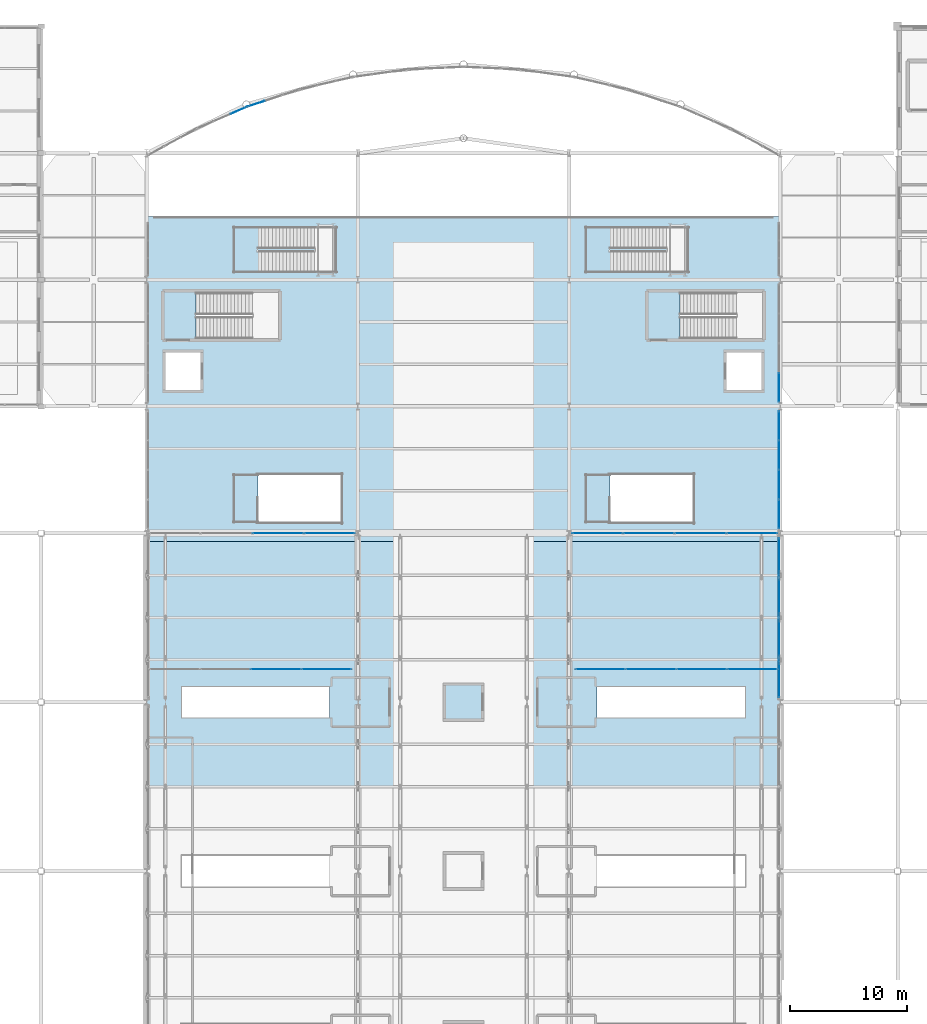
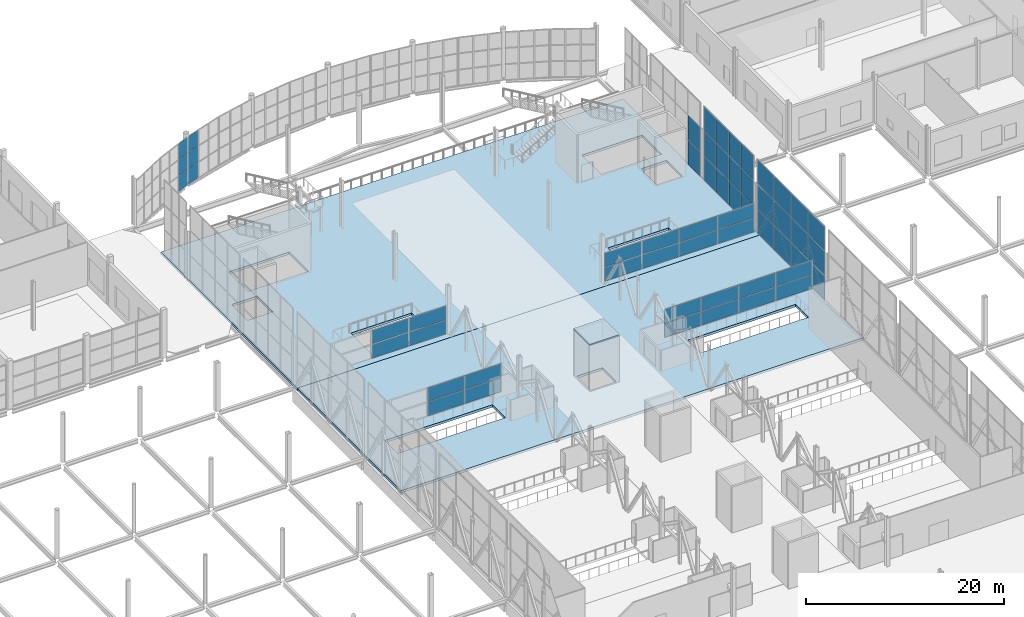
# One storey, part 154 of 191: 56 plates, 3 slabs, 9 elements without a shape of their own.
"""IFC4 building model written with IfcOpenShell, lengths in metres."""

from ifc_helpers import new_model, si_unit, direction, frame, origin, origin_2d, place, context, subcontext, project, spatial, polyline, rectangle, outline, extrude, material, layer, layer_set, type_object, element, aggregate, save


model = new_model("IFC4")

# Units and contexts
model_context = context("Model", 3, precision=1e-05, world=origin(), true_north=direction((0.0, 1.0)))
body_context = subcontext(model_context, "Body", "Model", "MODEL_VIEW")
ifc_project = project(units=[si_unit("LENGTHUNIT", "METRE"), si_unit("AREAUNIT", "SQUARE_METRE"), si_unit("VOLUMEUNIT", "CUBIC_METRE"), si_unit("PLANEANGLEUNIT", "RADIAN"), si_unit("MASSUNIT", "GRAM", prefix="KILO")], contexts=[model_context])

# Site, building, storey
site_placement = place(None, origin())
site = spatial("IfcSite", under=ifc_project, at=site_placement, CompositionType="ELEMENT")
building_placement = place(site_placement, origin())
building = spatial("IfcBuilding", under=site, at=building_placement, Name="Tamarisk Ironworks Central Station", CompositionType="ELEMENT")
storey_placement = place(building_placement, frame((0.0, 0.0, 6.60009765625)))
storey = spatial("IfcBuildingStorey", under=building, at=storey_placement, Name="L01", CompositionType="ELEMENT", Elevation=6.60009765625)

# Curtain wall, plates
ifc_material_1 = material(Name="Anodized aluminium alloy 6063-T6", Category="aluminium")
ifc_layer_1 = layer(ifc_material_1, 0.179931640625)
ifc_layer_set_1 = layer_set([ifc_layer_1], Name="Anodized aluminium alloy 6063-T6")
curtain_wall_type_1 = type_object("IfcCurtainWallType", Name="CW-24", PredefinedType="USERDEFINED", material=ifc_layer_set_1)
curtain_wall_1_placement = place(storey_placement, origin())
curtain_wall_1 = element("IfcCurtainWall", 1, at=curtain_wall_1_placement, inside=storey, type_object=curtain_wall_type_1, Name="North bridge west glazed acoustic screen", ObjectType="GLAZED CURTAIN WALL", PredefinedType="USERDEFINED")
ifc_material_2 = material(Name="Laminated solar-control low-E glass", Category="glass")
ifc_layer_2 = layer(ifc_material_2, 0.02001953125)
ifc_layer_set_2 = layer_set([ifc_layer_2], Name="Laminated solar-control low-E glass")
plate_type_1 = type_object("IfcPlateType", Name="PL-CWP20", PredefinedType="CURTAIN_PANEL", material=ifc_layer_set_2)
plate_1_placement = place(storey_placement, frame((65.19970703125, 79.199951171875, 0.06884765625), z_axis=(0.0, 0.0, 1.0), x_axis=(1.0, 0.0, 0.0)))
plate_1 = element("IfcPlate", 2, at=plate_1_placement, type_object=plate_type_1, Name="CW24 panel 3.1", PredefinedType="CURTAIN_PANEL", context=body_context, shape_type="SweptSolid", body=[
    extrude(rectangle(XDim=4.33642578125, YDim=0.02001953125, at=origin_2d()), origin(), (0.0, 0.0, 1.0), 1.699462890625),
])
plate_2_placement = place(storey_placement, frame((65.19970703125, 79.199951171875, 1.83154296875), z_axis=(0.0, 0.0, 1.0), x_axis=(1.0, 0.0, 0.0)))
plate_2 = element("IfcPlate", 3, at=plate_2_placement, type_object=plate_type_1, Name="CW24 panel 3.2", PredefinedType="CURTAIN_PANEL", context=body_context, shape_type="SweptSolid", body=[
    extrude(rectangle(XDim=4.33642578125, YDim=0.02001953125, at=origin_2d()), origin(), (0.0, 0.0, 1.0), 1.699462890625),
])
plate_3_placement = place(storey_placement, frame((69.58056640625, 79.199951171875, 0.06884765625), z_axis=(0.0, 0.0, 1.0), x_axis=(1.0, 0.0, 0.0)))
plate_3 = element("IfcPlate", 4, at=plate_3_placement, type_object=plate_type_1, Name="CW24 panel 4.1", PredefinedType="CURTAIN_PANEL", context=body_context, shape_type="SweptSolid", body=[
    extrude(rectangle(XDim=4.299072265625, YDim=0.02001953125, at=origin_2d()), origin(), (0.0, 0.0, 1.0), 1.699462890625),
])
plate_4_placement = place(storey_placement, frame((69.58056640625, 79.199951171875, 1.83154296875), z_axis=(0.0, 0.0, 1.0), x_axis=(1.0, 0.0, 0.0)))
plate_4 = element("IfcPlate", 5, at=plate_4_placement, type_object=plate_type_1, Name="CW24 panel 4.2", PredefinedType="CURTAIN_PANEL", context=body_context, shape_type="SweptSolid", body=[
    extrude(rectangle(XDim=4.299072265625, YDim=0.02001953125, at=origin_2d()), origin(), (0.0, 0.0, 1.0), 1.699462890625),
])
aggregate(curtain_wall_1, [plate_1, plate_2, plate_3, plate_4])

curtain_wall_2_placement = place(storey_placement, origin())
curtain_wall_2 = element("IfcCurtainWall", 6, at=curtain_wall_2_placement, inside=storey, type_object=curtain_wall_type_1, Name="North bridge east glazed acoustic screen", ObjectType="GLAZED CURTAIN WALL", PredefinedType="USERDEFINED")
plate_5_placement = place(storey_placement, frame((92.41943359375, 79.199951171875, 0.06884765625), z_axis=(0.0, 0.0, 1.0), x_axis=(1.0, 0.0, 0.0)))
plate_5 = element("IfcPlate", 7, at=plate_5_placement, type_object=plate_type_1, Name="CW24 panel 1.1", PredefinedType="CURTAIN_PANEL", context=body_context, shape_type="SweptSolid", body=[
    extrude(rectangle(XDim=4.299072265625, YDim=0.02001953125, at=origin_2d()), origin(), (0.0, 0.0, 1.0), 1.699462890625),
])
plate_6_placement = place(storey_placement, frame((92.41943359375, 79.199951171875, 1.83154296875), z_axis=(0.0, 0.0, 1.0), x_axis=(1.0, 0.0, 0.0)))
plate_6 = element("IfcPlate", 8, at=plate_6_placement, type_object=plate_type_1, Name="CW24 panel 1.2", PredefinedType="CURTAIN_PANEL", context=body_context, shape_type="SweptSolid", body=[
    extrude(rectangle(XDim=4.299072265625, YDim=0.02001953125, at=origin_2d()), origin(), (0.0, 0.0, 1.0), 1.699462890625),
])
plate_7_placement = place(storey_placement, frame((96.80029296875, 79.199951171875, 0.06884765625), z_axis=(0.0, 0.0, 1.0), x_axis=(1.0, 0.0, 0.0)))
plate_7 = element("IfcPlate", 9, at=plate_7_placement, type_object=plate_type_1, Name="CW24 panel 2.1", PredefinedType="CURTAIN_PANEL", context=body_context, shape_type="SweptSolid", body=[
    extrude(rectangle(XDim=4.33642578125, YDim=0.02001953125, at=origin_2d()), origin(), (0.0, 0.0, 1.0), 1.699462890625),
])
plate_8_placement = place(storey_placement, frame((96.80029296875, 79.199951171875, 1.83154296875), z_axis=(0.0, 0.0, 1.0), x_axis=(1.0, 0.0, 0.0)))
plate_8 = element("IfcPlate", 10, at=plate_8_placement, type_object=plate_type_1, Name="CW24 panel 2.2", PredefinedType="CURTAIN_PANEL", context=body_context, shape_type="SweptSolid", body=[
    extrude(rectangle(XDim=4.33642578125, YDim=0.02001953125, at=origin_2d()), origin(), (0.0, 0.0, 1.0), 1.699462890625),
])
plate_9_placement = place(storey_placement, frame((101.19970703125, 79.199951171875, 0.06884765625), z_axis=(0.0, 0.0, 1.0), x_axis=(1.0, 0.0, 0.0)))
plate_9 = element("IfcPlate", 11, at=plate_9_placement, type_object=plate_type_1, Name="CW24 panel 3.1", PredefinedType="CURTAIN_PANEL", context=body_context, shape_type="SweptSolid", body=[
    extrude(rectangle(XDim=4.33642578125, YDim=0.02001953125, at=origin_2d()), origin(), (0.0, 0.0, 1.0), 1.699462890625),
])
plate_10_placement = place(storey_placement, frame((101.19970703125, 79.199951171875, 1.83154296875), z_axis=(0.0, 0.0, 1.0), x_axis=(1.0, 0.0, 0.0)))
plate_10 = element("IfcPlate", 12, at=plate_10_placement, type_object=plate_type_1, Name="CW24 panel 3.2", PredefinedType="CURTAIN_PANEL", context=body_context, shape_type="SweptSolid", body=[
    extrude(rectangle(XDim=4.33642578125, YDim=0.02001953125, at=origin_2d()), origin(), (0.0, 0.0, 1.0), 1.699462890625),
])
plate_11_placement = place(storey_placement, frame((105.58056640625, 79.199951171875, 0.06884765625), z_axis=(0.0, 0.0, 1.0), x_axis=(1.0, 0.0, 0.0)))
plate_11 = element("IfcPlate", 13, at=plate_11_placement, type_object=plate_type_1, Name="CW24 panel 4.1", PredefinedType="CURTAIN_PANEL", context=body_context, shape_type="SweptSolid", body=[
    extrude(rectangle(XDim=4.299072265625, YDim=0.02001953125, at=origin_2d()), origin(), (0.0, 0.0, 1.0), 1.699462890625),
])
plate_12_placement = place(storey_placement, frame((105.58056640625, 79.199951171875, 1.83154296875), z_axis=(0.0, 0.0, 1.0), x_axis=(1.0, 0.0, 0.0)))
plate_12 = element("IfcPlate", 14, at=plate_12_placement, type_object=plate_type_1, Name="CW24 panel 4.2", PredefinedType="CURTAIN_PANEL", context=body_context, shape_type="SweptSolid", body=[
    extrude(rectangle(XDim=4.299072265625, YDim=0.02001953125, at=origin_2d()), origin(), (0.0, 0.0, 1.0), 1.699462890625),
])
aggregate(curtain_wall_2, [plate_5, plate_6, plate_7, plate_8, plate_9, plate_10, plate_11, plate_12])

curtain_wall_3_placement = place(storey_placement, origin())
curtain_wall_3 = element("IfcCurtainWall", 15, at=curtain_wall_3_placement, inside=storey, type_object=curtain_wall_type_1, Name="North bridge trackside west glazed screen", ObjectType="GLAZED CURTAIN WALL", PredefinedType="USERDEFINED")
plate_13_placement = place(storey_placement, frame((65.015380859375, 67.60009765625, 0.06884765625), z_axis=(0.0, 0.0, 1.0), x_axis=(1.0, 0.0, 0.0)))
plate_13 = element("IfcPlate", 16, at=plate_13_placement, type_object=plate_type_1, Name="CW24 panel 3.1", PredefinedType="CURTAIN_PANEL", context=body_context, shape_type="SweptSolid", body=[
    extrude(rectangle(XDim=4.260009765625, YDim=0.02001953125, at=origin_2d()), origin(), (0.0, 0.0, 1.0), 1.699462890625),
])
plate_14_placement = place(storey_placement, frame((65.015380859375, 67.60009765625, 1.83154296875), z_axis=(0.0, 0.0, 1.0), x_axis=(1.0, 0.0, 0.0)))
plate_14 = element("IfcPlate", 17, at=plate_14_placement, type_object=plate_type_1, Name="CW24 panel 3.2", PredefinedType="CURTAIN_PANEL", context=body_context, shape_type="SweptSolid", body=[
    extrude(rectangle(XDim=4.260009765625, YDim=0.02001953125, at=origin_2d()), origin(), (0.0, 0.0, 1.0), 1.699462890625),
])
plate_15_placement = place(storey_placement, frame((69.31982421875, 67.60009765625, 0.06884765625), z_axis=(0.0, 0.0, 1.0), x_axis=(1.0, 0.0, 0.0)))
plate_15 = element("IfcPlate", 18, at=plate_15_placement, type_object=plate_type_1, Name="CW24 panel 4.1", PredefinedType="CURTAIN_PANEL", context=body_context, shape_type="SweptSolid", body=[
    extrude(rectangle(XDim=4.222412109375, YDim=0.02001953125, at=origin_2d()), origin(), (0.0, 0.0, 1.0), 1.699462890625),
])
plate_16_placement = place(storey_placement, frame((69.31982421875, 67.60009765625, 1.83154296875), z_axis=(0.0, 0.0, 1.0), x_axis=(1.0, 0.0, 0.0)))
plate_16 = element("IfcPlate", 19, at=plate_16_placement, type_object=plate_type_1, Name="CW24 panel 4.2", PredefinedType="CURTAIN_PANEL", context=body_context, shape_type="SweptSolid", body=[
    extrude(rectangle(XDim=4.222412109375, YDim=0.02001953125, at=origin_2d()), origin(), (0.0, 0.0, 1.0), 1.699462890625),
])
aggregate(curtain_wall_3, [plate_13, plate_14, plate_15, plate_16])

curtain_wall_4_placement = place(storey_placement, origin())
curtain_wall_4 = element("IfcCurtainWall", 20, at=curtain_wall_4_placement, inside=storey, type_object=curtain_wall_type_1, Name="North bridge trackside east glazed screen", ObjectType="GLAZED CURTAIN WALL", PredefinedType="USERDEFINED")
plate_17_placement = place(storey_placement, frame((92.68017578125, 67.60009765625, 0.06884765625), z_axis=(0.0, 0.0, 1.0), x_axis=(1.0, 0.0, 0.0)))
plate_17 = element("IfcPlate", 21, at=plate_17_placement, type_object=plate_type_1, Name="CW24 panel 1.1", PredefinedType="CURTAIN_PANEL", context=body_context, shape_type="SweptSolid", body=[
    extrude(rectangle(XDim=4.222412109375, YDim=0.02001953125, at=origin_2d()), origin(), (0.0, 0.0, 1.0), 1.699462890625),
])
plate_18_placement = place(storey_placement, frame((92.68017578125, 67.60009765625, 1.83154296875), z_axis=(0.0, 0.0, 1.0), x_axis=(1.0, 0.0, 0.0)))
plate_18 = element("IfcPlate", 22, at=plate_18_placement, type_object=plate_type_1, Name="CW24 panel 1.2", PredefinedType="CURTAIN_PANEL", context=body_context, shape_type="SweptSolid", body=[
    extrude(rectangle(XDim=4.222412109375, YDim=0.02001953125, at=origin_2d()), origin(), (0.0, 0.0, 1.0), 1.699462890625),
])
plate_19_placement = place(storey_placement, frame((96.984619140625, 67.60009765625, 0.06884765625), z_axis=(0.0, 0.0, 1.0), x_axis=(1.0, 0.0, 0.0)))
plate_19 = element("IfcPlate", 23, at=plate_19_placement, type_object=plate_type_1, Name="CW24 panel 2.1", PredefinedType="CURTAIN_PANEL", context=body_context, shape_type="SweptSolid", body=[
    extrude(rectangle(XDim=4.260009765625, YDim=0.02001953125, at=origin_2d()), origin(), (0.0, 0.0, 1.0), 1.699462890625),
])
plate_20_placement = place(storey_placement, frame((96.984619140625, 67.60009765625, 1.83154296875), z_axis=(0.0, 0.0, 1.0), x_axis=(1.0, 0.0, 0.0)))
plate_20 = element("IfcPlate", 24, at=plate_20_placement, type_object=plate_type_1, Name="CW24 panel 2.2", PredefinedType="CURTAIN_PANEL", context=body_context, shape_type="SweptSolid", body=[
    extrude(rectangle(XDim=4.260009765625, YDim=0.02001953125, at=origin_2d()), origin(), (0.0, 0.0, 1.0), 1.699462890625),
])
plate_21_placement = place(storey_placement, frame((101.3076171875, 67.60009765625, 0.06884765625), z_axis=(0.0, 0.0, 1.0), x_axis=(1.0, 0.0, 0.0)))
plate_21 = element("IfcPlate", 25, at=plate_21_placement, type_object=plate_type_1, Name="CW24 panel 3.1", PredefinedType="CURTAIN_PANEL", context=body_context, shape_type="SweptSolid", body=[
    extrude(rectangle(XDim=4.260009765625, YDim=0.02001953125, at=origin_2d()), origin(), (0.0, 0.0, 1.0), 1.699462890625),
])
plate_22_placement = place(storey_placement, frame((101.3076171875, 67.60009765625, 1.83154296875), z_axis=(0.0, 0.0, 1.0), x_axis=(1.0, 0.0, 0.0)))
plate_22 = element("IfcPlate", 26, at=plate_22_placement, type_object=plate_type_1, Name="CW24 panel 3.2", PredefinedType="CURTAIN_PANEL", context=body_context, shape_type="SweptSolid", body=[
    extrude(rectangle(XDim=4.260009765625, YDim=0.02001953125, at=origin_2d()), origin(), (0.0, 0.0, 1.0), 1.699462890625),
])
plate_23_placement = place(storey_placement, frame((105.61181640625, 67.60009765625, 0.06884765625), z_axis=(0.0, 0.0, 1.0), x_axis=(1.0, 0.0, 0.0)))
plate_23 = element("IfcPlate", 27, at=plate_23_placement, type_object=plate_type_1, Name="CW24 panel 4.1", PredefinedType="CURTAIN_PANEL", context=body_context, shape_type="SweptSolid", body=[
    extrude(rectangle(XDim=4.222412109375, YDim=0.02001953125, at=origin_2d()), origin(), (0.0, 0.0, 1.0), 1.699462890625),
])
plate_24_placement = place(storey_placement, frame((105.61181640625, 67.60009765625, 1.83154296875), z_axis=(0.0, 0.0, 1.0), x_axis=(1.0, 0.0, 0.0)))
plate_24 = element("IfcPlate", 28, at=plate_24_placement, type_object=plate_type_1, Name="CW24 panel 4.2", PredefinedType="CURTAIN_PANEL", context=body_context, shape_type="SweptSolid", body=[
    extrude(rectangle(XDim=4.222412109375, YDim=0.02001953125, at=origin_2d()), origin(), (0.0, 0.0, 1.0), 1.699462890625),
])
aggregate(curtain_wall_4, [plate_17, plate_18, plate_19, plate_20, plate_21, plate_22, plate_23, plate_24])

ifc_layer_3 = layer(ifc_material_1, 0.179931640625)
ifc_layer_set_3 = layer_set([ifc_layer_3], Name="Anodized aluminium alloy 6063-T6")
curtain_wall_type_2 = type_object("IfcCurtainWallType", Name="CW-08", PredefinedType="USERDEFINED", material=ifc_layer_set_3)
curtain_wall_5_placement = place(storey_placement, origin())
curtain_wall_5 = element("IfcCurtainWall", 29, at=curtain_wall_5_placement, inside=storey, type_object=curtain_wall_type_2, Name="Concourse E track-overlook curtain wall 07", ObjectType="GLAZED CURTAIN WALL", PredefinedType="USERDEFINED")
ifc_layer_4 = layer(ifc_material_1, 0.02392578125)
ifc_layer_set_4 = layer_set([ifc_layer_4], Name="Anodized aluminium alloy 6063-T6")
plate_type_2 = type_object("IfcPlateType", Name="PL-CWP24", PredefinedType="CURTAIN_PANEL", material=ifc_layer_set_4)
plate_25_placement = place(storey_placement, frame((107.8798828125, 91.62744140625, 0.0537109375), z_axis=(0.0, 0.0, 1.0), x_axis=(0.0, 1.0, 0.0)))
plate_25 = element("IfcPlate", 30, at=plate_25_placement, type_object=plate_type_2, Name="CW08 panel 1.1", PredefinedType="CURTAIN_PANEL", context=body_context, shape_type="SweptSolid", body=[
    extrude(rectangle(XDim=2.447021484375, YDim=0.02392578125, at=origin_2d()), origin(), (0.0, 0.0, 1.0), 2.995361328125),
])
plate_26_placement = place(storey_placement, frame((107.8798828125, 91.62744140625, 3.09716796875), z_axis=(0.0, 0.0, 1.0), x_axis=(0.0, 1.0, 0.0)))
plate_26 = element("IfcPlate", 31, at=plate_26_placement, type_object=plate_type_2, Name="CW08 panel 1.2", PredefinedType="CURTAIN_PANEL", context=body_context, shape_type="SweptSolid", body=[
    extrude(rectangle(XDim=2.447021484375, YDim=0.02392578125, at=origin_2d()), origin(), (0.0, 0.0, 1.0), 3.025390625),
])
aggregate(curtain_wall_5, [plate_25, plate_26])

ifc_layer_5 = layer(ifc_material_1, 0.179931640625)
ifc_layer_set_5 = layer_set([ifc_layer_5], Name="Anodized aluminium alloy 6063-T6")
curtain_wall_type_3 = type_object("IfcCurtainWallType", Name="CW-02", PredefinedType="USERDEFINED", material=ifc_layer_set_5)
curtain_wall_6_placement = place(storey_placement, origin())
curtain_wall_6 = element("IfcCurtainWall", 32, at=curtain_wall_6_placement, inside=storey, type_object=curtain_wall_type_3, Name="NN rounded entrance hall L01 curtain wall bay 02", ObjectType="GLAZED CURTAIN WALL", PredefinedType="USERDEFINED")
ifc_layer_6 = layer(ifc_material_2, 0.028076171875)
ifc_layer_set_6 = layer_set([ifc_layer_6], Name="Laminated solar-control low-E glass")
plate_type_3 = type_object("IfcPlateType", Name="PL-CWP28", PredefinedType="CURTAIN_PANEL", material=ifc_layer_set_6)
plate_27_placement = place(storey_placement, frame((61.83447265625, 115.22900390625, -0.3310546875), z_axis=(0.0, 0.0, 1.0), x_axis=(0.917352033503, 0.398076935564, 0.0)))
plate_27 = element("IfcPlate", 33, at=plate_27_placement, type_object=plate_type_3, Name="CW02 panel 3.1", PredefinedType="CURTAIN_PANEL", context=body_context, shape_type="SweptSolid", body=[
    extrude(rectangle(XDim=1.491943359375, YDim=0.028076171875, at=origin_2d()), origin(), (0.0, 0.0, 1.0), 1.923583984375),
])
plate_28_placement = place(storey_placement, frame((61.83447265625, 115.22900390625, 1.640625), z_axis=(0.0, 0.0, 1.0), x_axis=(0.917352033503, 0.398076935564, 0.0)))
plate_28 = element("IfcPlate", 34, at=plate_28_placement, type_object=plate_type_3, Name="CW02 panel 3.2", PredefinedType="CURTAIN_PANEL", context=body_context, shape_type="SweptSolid", body=[
    extrude(rectangle(XDim=1.491943359375, YDim=0.028076171875, at=origin_2d()), origin(), (0.0, 0.0, 1.0), 1.95361328125),
])
plate_29_placement = place(storey_placement, frame((61.83447265625, 115.22900390625, 3.64208984375), z_axis=(0.0, 0.0, 1.0), x_axis=(0.917352033503, 0.398076935564, 0.0)))
plate_29 = element("IfcPlate", 35, at=plate_29_placement, type_object=plate_type_3, Name="CW02 panel 3.3", PredefinedType="CURTAIN_PANEL", context=body_context, shape_type="SweptSolid", body=[
    extrude(rectangle(XDim=1.491943359375, YDim=0.028076171875, at=origin_2d()), origin(), (0.0, 0.0, 1.0), 1.923583984375),
])
aggregate(curtain_wall_6, [plate_27, plate_28, plate_29])

curtain_wall_7_placement = place(storey_placement, origin())
curtain_wall_7 = element("IfcCurtainWall", 36, at=curtain_wall_7_placement, inside=storey, type_object=curtain_wall_type_3, Name="NN rounded entrance hall L01 curtain wall bay 03", ObjectType="GLAZED CURTAIN WALL", PredefinedType="USERDEFINED")
plate_30_placement = place(storey_placement, frame((63.327880859375, 115.7978515625, -0.3310546875), z_axis=(0.0, 0.0, 1.0), x_axis=(0.949720671692, 0.313098460171, 0.0)))
plate_30 = element("IfcPlate", 37, at=plate_30_placement, type_object=plate_type_3, Name="CW02 panel 1.1", PredefinedType="CURTAIN_PANEL", context=body_context, shape_type="SweptSolid", body=[
    extrude(rectangle(XDim=1.491943359375, YDim=0.028076171875, at=origin_2d()), origin(), (0.0, 0.0, 1.0), 1.923583984375),
])
plate_31_placement = place(storey_placement, frame((63.327880859375, 115.7978515625, 1.640625), z_axis=(0.0, 0.0, 1.0), x_axis=(0.949720671692, 0.313098460171, 0.0)))
plate_31 = element("IfcPlate", 38, at=plate_31_placement, type_object=plate_type_3, Name="CW02 panel 1.2", PredefinedType="CURTAIN_PANEL", context=body_context, shape_type="SweptSolid", body=[
    extrude(rectangle(XDim=1.491943359375, YDim=0.028076171875, at=origin_2d()), origin(), (0.0, 0.0, 1.0), 1.95361328125),
])
plate_32_placement = place(storey_placement, frame((63.327880859375, 115.7978515625, 3.64208984375), z_axis=(0.0, 0.0, 1.0), x_axis=(0.949720671692, 0.313098460171, 0.0)))
plate_32 = element("IfcPlate", 39, at=plate_32_placement, type_object=plate_type_3, Name="CW02 panel 1.3", PredefinedType="CURTAIN_PANEL", context=body_context, shape_type="SweptSolid", body=[
    extrude(rectangle(XDim=1.491943359375, YDim=0.028076171875, at=origin_2d()), origin(), (0.0, 0.0, 1.0), 1.923583984375),
])
aggregate(curtain_wall_7, [plate_30, plate_31, plate_32])

ifc_layer_7 = layer(ifc_material_1, 0.179931640625)
ifc_layer_set_7 = layer_set([ifc_layer_7], Name="Anodized aluminium alloy 6063-T6")
curtain_wall_type_4 = type_object("IfcCurtainWallType", Name="CW-06", PredefinedType="USERDEFINED", material=ifc_layer_set_7)
curtain_wall_8_placement = place(storey_placement, origin())
curtain_wall_8 = element("IfcCurtainWall", 40, at=curtain_wall_8_placement, inside=storey, type_object=curtain_wall_type_4, Name="Concourse E track-overlook curtain wall 05", ObjectType="GLAZED CURTAIN WALL", PredefinedType="USERDEFINED")
plate_33_placement = place(storey_placement, frame((107.8798828125, 66.88134765625, 0.06884765625), z_axis=(0.0, 0.0, 1.0), x_axis=(0.0, 1.0, 0.0)))
plate_33 = element("IfcPlate", 41, at=plate_33_placement, type_object=plate_type_3, Name="CW06 panel 1.1", PredefinedType="CURTAIN_PANEL", context=body_context, shape_type="SweptSolid", body=[
    extrude(rectangle(XDim=3.324462890625, YDim=0.028076171875, at=origin_2d()), origin(), (0.0, 0.0, 1.0), 2.972900390625),
])
plate_34_placement = place(storey_placement, frame((107.8798828125, 66.88134765625, 3.1044921875), z_axis=(0.0, 0.0, 1.0), x_axis=(0.0, 1.0, 0.0)))
plate_34 = element("IfcPlate", 42, at=plate_34_placement, type_object=plate_type_3, Name="CW06 panel 1.2", PredefinedType="CURTAIN_PANEL", context=body_context, shape_type="SweptSolid", body=[
    extrude(rectangle(XDim=3.324462890625, YDim=0.028076171875, at=origin_2d()), origin(), (0.0, 0.0, 1.0), 3.010498046875),
])
plate_35_placement = place(storey_placement, frame((107.8798828125, 66.88134765625, 6.17822265625), z_axis=(0.0, 0.0, 1.0), x_axis=(0.0, 1.0, 0.0)))
plate_35 = element("IfcPlate", 43, at=plate_35_placement, type_object=plate_type_3, Name="CW06 panel 1.3", PredefinedType="CURTAIN_PANEL", context=body_context, shape_type="SweptSolid", body=[
    extrude(rectangle(XDim=3.324462890625, YDim=0.028076171875, at=origin_2d()), origin(), (0.0, 0.0, 1.0), 2.972900390625),
])
plate_36_placement = place(storey_placement, frame((107.8798828125, 70.28759765625, 0.06884765625), z_axis=(0.0, 0.0, 1.0), x_axis=(0.0, 1.0, 0.0)))
plate_36 = element("IfcPlate", 44, at=plate_36_placement, type_object=plate_type_3, Name="CW06 panel 2.1", PredefinedType="CURTAIN_PANEL", context=body_context, shape_type="SweptSolid", body=[
    extrude(rectangle(XDim=3.362060546875, YDim=0.028076171875, at=origin_2d()), origin(), (0.0, 0.0, 1.0), 2.972900390625),
])
plate_37_placement = place(storey_placement, frame((107.8798828125, 70.28759765625, 3.1044921875), z_axis=(0.0, 0.0, 1.0), x_axis=(0.0, 1.0, 0.0)))
plate_37 = element("IfcPlate", 45, at=plate_37_placement, type_object=plate_type_3, Name="CW06 panel 2.2", PredefinedType="CURTAIN_PANEL", context=body_context, shape_type="SweptSolid", body=[
    extrude(rectangle(XDim=3.362060546875, YDim=0.028076171875, at=origin_2d()), origin(), (0.0, 0.0, 1.0), 3.010498046875),
])
plate_38_placement = place(storey_placement, frame((107.8798828125, 70.28759765625, 6.17822265625), z_axis=(0.0, 0.0, 1.0), x_axis=(0.0, 1.0, 0.0)))
plate_38 = element("IfcPlate", 46, at=plate_38_placement, type_object=plate_type_3, Name="CW06 panel 2.3", PredefinedType="CURTAIN_PANEL", context=body_context, shape_type="SweptSolid", body=[
    extrude(rectangle(XDim=3.362060546875, YDim=0.028076171875, at=origin_2d()), origin(), (0.0, 0.0, 1.0), 2.972900390625),
])
plate_39_placement = place(storey_placement, frame((107.8798828125, 73.71240234375, 0.06884765625), z_axis=(0.0, 0.0, 1.0), x_axis=(0.0, 1.0, 0.0)))
plate_39 = element("IfcPlate", 47, at=plate_39_placement, type_object=plate_type_3, Name="CW06 panel 3.1", PredefinedType="CURTAIN_PANEL", context=body_context, shape_type="SweptSolid", body=[
    extrude(rectangle(XDim=3.362060546875, YDim=0.028076171875, at=origin_2d()), origin(), (0.0, 0.0, 1.0), 2.972900390625),
])
plate_40_placement = place(storey_placement, frame((107.8798828125, 73.71240234375, 3.1044921875), z_axis=(0.0, 0.0, 1.0), x_axis=(0.0, 1.0, 0.0)))
plate_40 = element("IfcPlate", 48, at=plate_40_placement, type_object=plate_type_3, Name="CW06 panel 3.2", PredefinedType="CURTAIN_PANEL", context=body_context, shape_type="SweptSolid", body=[
    extrude(rectangle(XDim=3.362060546875, YDim=0.028076171875, at=origin_2d()), origin(), (0.0, 0.0, 1.0), 3.010498046875),
])
plate_41_placement = place(storey_placement, frame((107.8798828125, 73.71240234375, 6.17822265625), z_axis=(0.0, 0.0, 1.0), x_axis=(0.0, 1.0, 0.0)))
plate_41 = element("IfcPlate", 49, at=plate_41_placement, type_object=plate_type_3, Name="CW06 panel 3.3", PredefinedType="CURTAIN_PANEL", context=body_context, shape_type="SweptSolid", body=[
    extrude(rectangle(XDim=3.362060546875, YDim=0.028076171875, at=origin_2d()), origin(), (0.0, 0.0, 1.0), 2.972900390625),
])
plate_42_placement = place(storey_placement, frame((107.8798828125, 77.11865234375, 0.06884765625), z_axis=(0.0, 0.0, 1.0), x_axis=(0.0, 1.0, 0.0)))
plate_42 = element("IfcPlate", 50, at=plate_42_placement, type_object=plate_type_3, Name="CW06 panel 4.1", PredefinedType="CURTAIN_PANEL", context=body_context, shape_type="SweptSolid", body=[
    extrude(rectangle(XDim=3.324462890625, YDim=0.028076171875, at=origin_2d()), origin(), (0.0, 0.0, 1.0), 2.972900390625),
])
plate_43_placement = place(storey_placement, frame((107.8798828125, 77.11865234375, 3.1044921875), z_axis=(0.0, 0.0, 1.0), x_axis=(0.0, 1.0, 0.0)))
plate_43 = element("IfcPlate", 51, at=plate_43_placement, type_object=plate_type_3, Name="CW06 panel 4.2", PredefinedType="CURTAIN_PANEL", context=body_context, shape_type="SweptSolid", body=[
    extrude(rectangle(XDim=3.324462890625, YDim=0.028076171875, at=origin_2d()), origin(), (0.0, 0.0, 1.0), 3.010498046875),
])
plate_44_placement = place(storey_placement, frame((107.8798828125, 77.11865234375, 6.17822265625), z_axis=(0.0, 0.0, 1.0), x_axis=(0.0, 1.0, 0.0)))
plate_44 = element("IfcPlate", 52, at=plate_44_placement, type_object=plate_type_3, Name="CW06 panel 4.3", PredefinedType="CURTAIN_PANEL", context=body_context, shape_type="SweptSolid", body=[
    extrude(rectangle(XDim=3.324462890625, YDim=0.028076171875, at=origin_2d()), origin(), (0.0, 0.0, 1.0), 2.972900390625),
])
aggregate(curtain_wall_8, [plate_33, plate_34, plate_35, plate_36, plate_37, plate_38, plate_39, plate_40, plate_41, plate_42, plate_43, plate_44])

ifc_layer_8 = layer(ifc_material_1, 0.179931640625)
ifc_layer_set_8 = layer_set([ifc_layer_8], Name="Anodized aluminium alloy 6063-T6")
curtain_wall_type_5 = type_object("IfcCurtainWallType", Name="CW-07", PredefinedType="USERDEFINED", material=ifc_layer_set_8)
curtain_wall_9_placement = place(storey_placement, origin())
curtain_wall_9 = element("IfcCurtainWall", 53, at=curtain_wall_9_placement, inside=storey, type_object=curtain_wall_type_5, Name="Concourse E track-overlook curtain wall 06", ObjectType="GLAZED CURTAIN WALL", PredefinedType="USERDEFINED")
plate_45_placement = place(storey_placement, frame((107.8798828125, 80.828857421875, 0.058837890625), z_axis=(0.0, 0.0, 1.0), x_axis=(0.0, 1.0, 0.0)))
plate_45 = element("IfcPlate", 54, at=plate_45_placement, type_object=plate_type_3, Name="CW07 panel 1.1", PredefinedType="CURTAIN_PANEL", context=body_context, shape_type="SweptSolid", body=[
    extrude(rectangle(XDim=2.439453125, YDim=0.028076171875, at=origin_2d()), origin(), (0.0, 0.0, 1.0), 2.98779296875),
])
plate_46_placement = place(storey_placement, frame((107.8798828125, 80.828857421875, 3.099609375), z_axis=(0.0, 0.0, 1.0), x_axis=(0.0, 1.0, 0.0)))
plate_46 = element("IfcPlate", 55, at=plate_46_placement, type_object=plate_type_3, Name="CW07 panel 1.2", PredefinedType="CURTAIN_PANEL", context=body_context, shape_type="SweptSolid", body=[
    extrude(rectangle(XDim=2.439453125, YDim=0.028076171875, at=origin_2d()), origin(), (0.0, 0.0, 1.0), 3.0205078125),
])
plate_47_placement = place(storey_placement, frame((107.8798828125, 80.828857421875, 6.173095703125), z_axis=(0.0, 0.0, 1.0), x_axis=(0.0, 1.0, 0.0)))
plate_47 = element("IfcPlate", 56, at=plate_47_placement, type_object=plate_type_3, Name="CW07 panel 1.3", PredefinedType="CURTAIN_PANEL", context=body_context, shape_type="SweptSolid", body=[
    extrude(rectangle(XDim=2.439453125, YDim=0.028076171875, at=origin_2d()), origin(), (0.0, 0.0, 1.0), 2.98779296875),
])
plate_48_placement = place(storey_placement, frame((107.8798828125, 83.33740234375, 0.058837890625), z_axis=(0.0, 0.0, 1.0), x_axis=(0.0, 1.0, 0.0)))
plate_48 = element("IfcPlate", 57, at=plate_48_placement, type_object=plate_type_3, Name="CW07 panel 2.1", PredefinedType="CURTAIN_PANEL", context=body_context, shape_type="SweptSolid", body=[
    extrude(rectangle(XDim=2.471923828125, YDim=0.028076171875, at=origin_2d()), origin(), (0.0, 0.0, 1.0), 2.98779296875),
])
plate_49_placement = place(storey_placement, frame((107.8798828125, 83.33740234375, 3.099609375), z_axis=(0.0, 0.0, 1.0), x_axis=(0.0, 1.0, 0.0)))
plate_49 = element("IfcPlate", 58, at=plate_49_placement, type_object=plate_type_3, Name="CW07 panel 2.2", PredefinedType="CURTAIN_PANEL", context=body_context, shape_type="SweptSolid", body=[
    extrude(rectangle(XDim=2.471923828125, YDim=0.028076171875, at=origin_2d()), origin(), (0.0, 0.0, 1.0), 3.0205078125),
])
plate_50_placement = place(storey_placement, frame((107.8798828125, 83.33740234375, 6.173095703125), z_axis=(0.0, 0.0, 1.0), x_axis=(0.0, 1.0, 0.0)))
plate_50 = element("IfcPlate", 59, at=plate_50_placement, type_object=plate_type_3, Name="CW07 panel 2.3", PredefinedType="CURTAIN_PANEL", context=body_context, shape_type="SweptSolid", body=[
    extrude(rectangle(XDim=2.471923828125, YDim=0.028076171875, at=origin_2d()), origin(), (0.0, 0.0, 1.0), 2.98779296875),
])
plate_51_placement = place(storey_placement, frame((107.8798828125, 85.862548828125, 0.058837890625), z_axis=(0.0, 0.0, 1.0), x_axis=(0.0, 1.0, 0.0)))
plate_51 = element("IfcPlate", 60, at=plate_51_placement, type_object=plate_type_3, Name="CW07 panel 3.1", PredefinedType="CURTAIN_PANEL", context=body_context, shape_type="SweptSolid", body=[
    extrude(rectangle(XDim=2.471923828125, YDim=0.028076171875, at=origin_2d()), origin(), (0.0, 0.0, 1.0), 2.98779296875),
])
plate_52_placement = place(storey_placement, frame((107.8798828125, 85.862548828125, 3.099609375), z_axis=(0.0, 0.0, 1.0), x_axis=(0.0, 1.0, 0.0)))
plate_52 = element("IfcPlate", 61, at=plate_52_placement, type_object=plate_type_3, Name="CW07 panel 3.2", PredefinedType="CURTAIN_PANEL", context=body_context, shape_type="SweptSolid", body=[
    extrude(rectangle(XDim=2.471923828125, YDim=0.028076171875, at=origin_2d()), origin(), (0.0, 0.0, 1.0), 3.0205078125),
])
plate_53_placement = place(storey_placement, frame((107.8798828125, 85.862548828125, 6.173095703125), z_axis=(0.0, 0.0, 1.0), x_axis=(0.0, 1.0, 0.0)))
plate_53 = element("IfcPlate", 62, at=plate_53_placement, type_object=plate_type_3, Name="CW07 panel 3.3", PredefinedType="CURTAIN_PANEL", context=body_context, shape_type="SweptSolid", body=[
    extrude(rectangle(XDim=2.471923828125, YDim=0.028076171875, at=origin_2d()), origin(), (0.0, 0.0, 1.0), 2.98779296875),
])
plate_54_placement = place(storey_placement, frame((107.8798828125, 88.371337890625, 0.058837890625), z_axis=(0.0, 0.0, 1.0), x_axis=(0.0, 1.0, 0.0)))
plate_54 = element("IfcPlate", 63, at=plate_54_placement, type_object=plate_type_3, Name="CW07 panel 4.1", PredefinedType="CURTAIN_PANEL", context=body_context, shape_type="SweptSolid", body=[
    extrude(rectangle(XDim=2.439453125, YDim=0.028076171875, at=origin_2d()), origin(), (0.0, 0.0, 1.0), 2.98779296875),
])
plate_55_placement = place(storey_placement, frame((107.8798828125, 88.371337890625, 3.099609375), z_axis=(0.0, 0.0, 1.0), x_axis=(0.0, 1.0, 0.0)))
plate_55 = element("IfcPlate", 64, at=plate_55_placement, type_object=plate_type_3, Name="CW07 panel 4.2", PredefinedType="CURTAIN_PANEL", context=body_context, shape_type="SweptSolid", body=[
    extrude(rectangle(XDim=2.439453125, YDim=0.028076171875, at=origin_2d()), origin(), (0.0, 0.0, 1.0), 3.0205078125),
])
plate_56_placement = place(storey_placement, frame((107.8798828125, 88.371337890625, 6.173095703125), z_axis=(0.0, 0.0, 1.0), x_axis=(0.0, 1.0, 0.0)))
plate_56 = element("IfcPlate", 65, at=plate_56_placement, type_object=plate_type_3, Name="CW07 panel 4.3", PredefinedType="CURTAIN_PANEL", context=body_context, shape_type="SweptSolid", body=[
    extrude(rectangle(XDim=2.439453125, YDim=0.028076171875, at=origin_2d()), origin(), (0.0, 0.0, 1.0), 2.98779296875),
])
aggregate(curtain_wall_9, [plate_45, plate_46, plate_47, plate_48, plate_49, plate_50, plate_51, plate_52, plate_53, plate_54, plate_55, plate_56])

# Slabs
ifc_material_3 = material(Name="Concrete C35/45", Category="concrete")
ifc_layer_9 = layer(ifc_material_3, 0.300048828125)
ifc_layer_set_9 = layer_set([ifc_layer_9], Name="Concrete C35/45")
slab_type_1 = type_object("IfcSlabType", Name="SL-BR300", PredefinedType="FLOOR", material=ifc_layer_set_9)
slab_1_placement = place(storey_placement, frame((0.0, 0.0, -0.300048828125)))
element("IfcSlab", 66, at=slab_1_placement, inside=storey, type_object=slab_type_1, Name="L01 Suspended Floor Slab V2-M2", PredefinedType="FLOOR", context=body_context, shape_type="SweptSolid", body=[
    extrude(outline(polyline([(54.0, 57.60009765625), (108.0, 57.60009765625), (108.0, 78.5), (54.0, 78.5), (54.0, 57.60009765625)]), holes=[polyline([(79.5, 63.39990234375), (82.5, 63.39990234375), (82.5, 66.199951171875), (79.5, 66.199951171875), (79.5, 63.39990234375)]), polyline([(57.0, 63.5), (69.60009765625, 63.5), (69.60009765625, 66.10009765625), (57.0, 66.10009765625), (57.0, 63.5)]), polyline([(92.39990234375, 63.5), (105.0, 63.5), (105.0, 66.10009765625), (92.39990234375, 66.10009765625), (92.39990234375, 63.5)])]), origin(), (0.0, 0.0, 1.0), 0.300048828125),
])
slab_2_placement = place(storey_placement, frame((0.0, 0.0, -0.300048828125)))
element("IfcSlab", 67, at=slab_2_placement, inside=storey, type_object=slab_type_1, Name="L01 Suspended Floor Slab V2-N", PredefinedType="FLOOR", context=body_context, shape_type="SweptSolid", body=[
    extrude(outline(polyline([(54.0, 78.5), (108.0, 78.5), (108.0, 106.199951171875), (54.0, 106.199951171875), (54.0, 78.5)]), holes=[polyline([(58.199951171875, 95.800048828125), (65.25, 95.800048828125), (65.25, 99.699951171875), (58.199951171875, 99.699951171875), (58.199951171875, 95.800048828125)]), polyline([(99.449951171875, 95.800048828125), (106.5, 95.800048828125), (106.5, 99.699951171875), (99.449951171875, 99.699951171875), (99.449951171875, 95.800048828125)]), polyline([(63.5, 80.10009765625), (70.60009765625, 80.10009765625), (70.60009765625, 84.199951171875), (63.5, 84.199951171875), (63.5, 80.10009765625)]), polyline([(93.5, 80.10009765625), (100.60009765625, 80.10009765625), (100.60009765625, 84.199951171875), (93.5, 84.199951171875), (93.5, 80.10009765625)]), polyline([(55.60009765625, 91.39990234375), (58.60009765625, 91.39990234375), (58.60009765625, 94.60009765625), (55.60009765625, 94.60009765625), (55.60009765625, 91.39990234375)]), polyline([(103.39990234375, 91.39990234375), (106.39990234375, 91.39990234375), (106.39990234375, 94.60009765625), (103.39990234375, 94.60009765625), (103.39990234375, 91.39990234375)])]), origin(), (0.0, 0.0, 1.0), 0.300048828125),
])
ifc_layer_10 = layer(ifc_material_3, 0.159912109375)
ifc_layer_set_10 = layer_set([ifc_layer_10], Name="Concrete C35/45")
slab_type_2 = type_object("IfcSlabType", Name="SL-RF160", PredefinedType="ROOF", material=ifc_layer_set_10)
slab_3_placement = place(storey_placement, frame((0.0, 0.0, 5.699951171875)))
element("IfcSlab", 68, at=slab_3_placement, inside=storey, type_object=slab_type_2, Name="LF-P4 shaft overrun cap slab", PredefinedType="ROOF", context=body_context, shape_type="SweptSolid", body=[
    extrude(outline(polyline([(79.25, 63.14990234375), (82.75, 63.14990234375), (82.75, 66.449951171875), (79.25, 66.449951171875), (79.25, 63.14990234375)])), origin(), (0.0, 0.0, 1.0), 0.159912109375),
])

save(model, "model.ifc")
